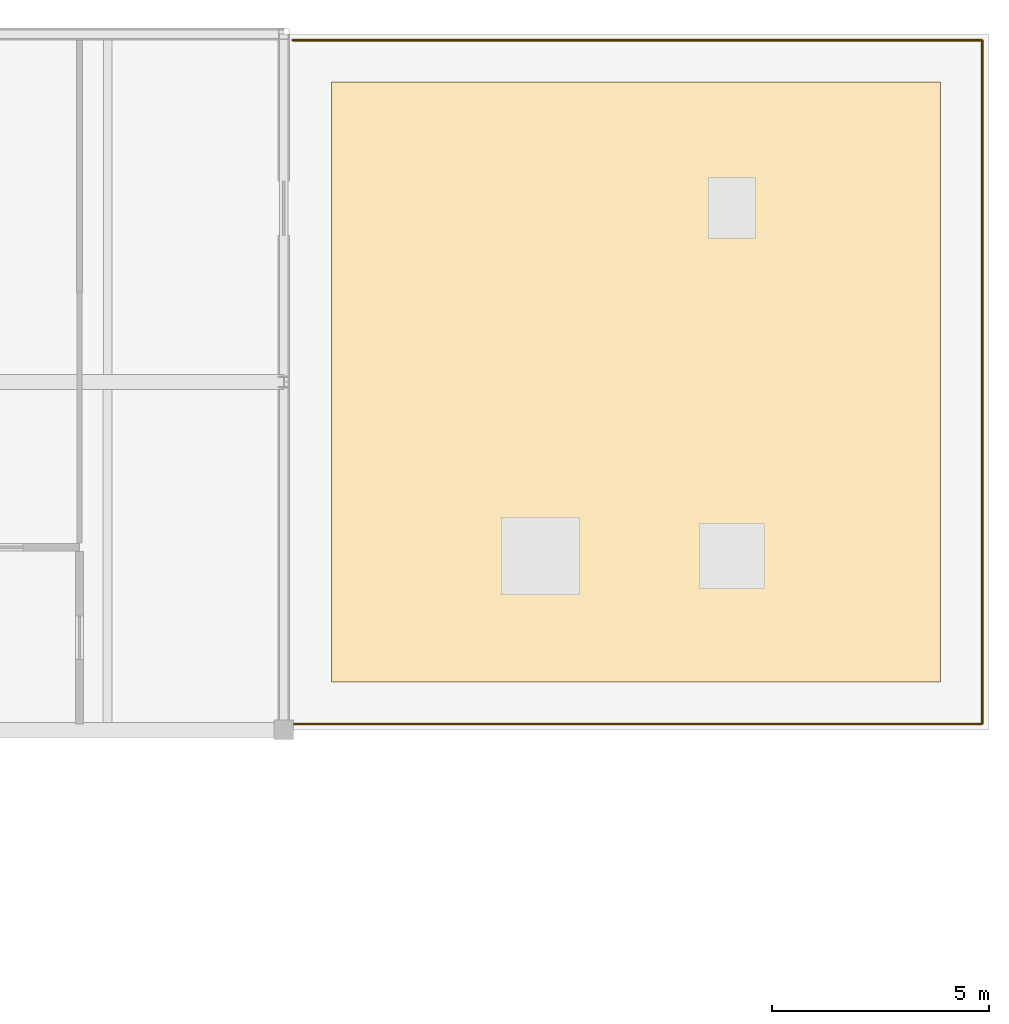
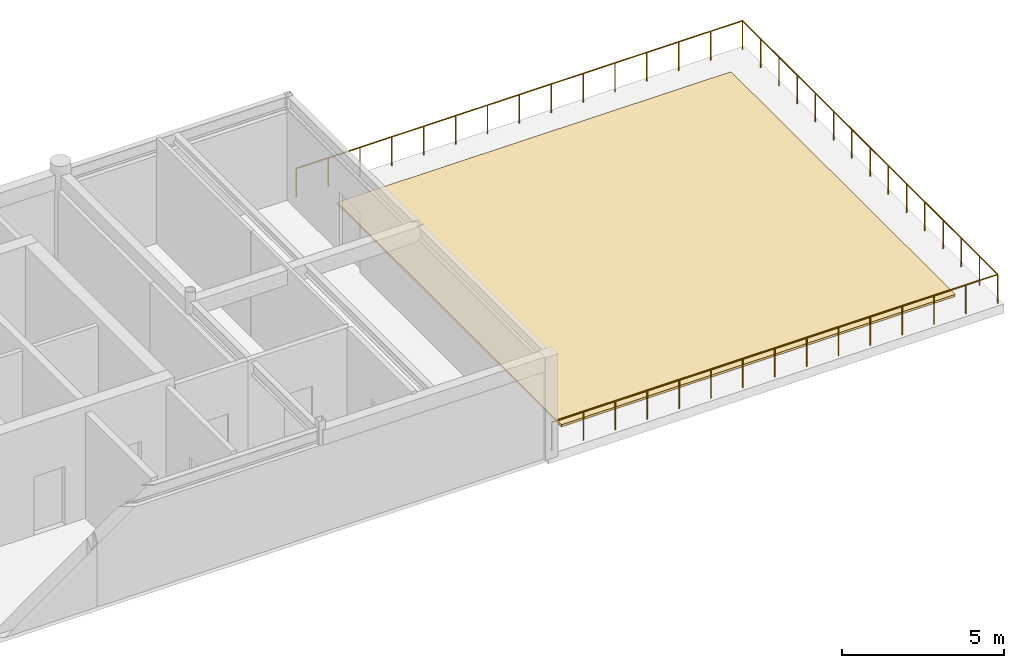
# One storey, part 18 of 18: 3 railings, 1 covering.
"""IFC4 building model written with IfcOpenShell, lengths in metres."""

import ifcopenshell
import ifcopenshell.guid

model = None  # the IFC model being written
_history = None  # IfcOwnerHistory: only IFC2X3 demands one
_inside = {}  # id of a spatial element -> (the spatial element, [elements in it])
_under = {}  # id of a project, library or spatial element -> (it, [spatial elements below it])
_declared = {}  # id of a project -> (the project, [libraries it declares])
_typed = {}  # id of a type object -> (the type object, [elements of that type])
_made_of = {}  # id of a material, layer set ... -> (it, [elements and type objects made of it])


def new_model(schema):
    """Start an empty IFC model of exactly this schema.

    Asked for "IFC4X3", IfcOpenShell would pick the latest addendum, in which some entities
    have other attributes; the version numbers below select the first issue.
    IFC2X3 requires an IfcOwnerHistory on every rooted entity: one is made here for all.
    """
    global model, _history
    if schema == "IFC4X3":
        model = ifcopenshell.file(schema_version=(4, 3, 0, 0))
    else:
        model = ifcopenshell.file(schema=schema)
    _inside.clear()
    _under.clear()
    _declared.clear()
    _typed.clear()
    _made_of.clear()
    _history = None
    if model.schema == "IFC2X3":
        org = make("IfcOrganization", Name="unknown")
        user = make(
            "IfcPersonAndOrganization",
            ThePerson=make("IfcPerson", FamilyName="unknown"),
            TheOrganization=org,
        )
        app = make(
            "IfcApplication",
            ApplicationDeveloper=org,
            Version="unknown",
            ApplicationFullName="unknown",
            ApplicationIdentifier="unknown",
        )
        _history = make(
            "IfcOwnerHistory",
            OwningUser=user,
            OwningApplication=app,
            ChangeAction="ADDED",
            CreationDate=0,
        )
    return model


def make(cls, **values):
    """One entity of the class cls with the attributes given. An attribute that is None is left unset."""
    return model.create_entity(
        cls, **{name: value for name, value in values.items() if value is not None}
    )


def rooted(cls, **values):
    """An entity with a GlobalId (a new one), such as an element, a storey or a relation."""
    return make(cls, GlobalId=ifcopenshell.guid.new(), OwnerHistory=_history, **values)


def si_unit(unit_type, name, prefix=None):
    """IfcSIUnit, for example si_unit("LENGTHUNIT", "METRE", prefix="MILLI")."""
    return make("IfcSIUnit", UnitType=unit_type, Prefix=prefix, Name=name)


def assignment(units):
    """IfcUnitAssignment: the units of a project."""
    return None if units is None else make("IfcUnitAssignment", Units=units)


def point(xyz):
    """IfcCartesianPoint."""
    return None if xyz is None else make("IfcCartesianPoint", Coordinates=xyz)


def direction(xyz):
    """IfcDirection."""
    return None if xyz is None else make("IfcDirection", DirectionRatios=xyz)


def frame(location, z_axis=None, x_axis=None):
    """IfcAxis2Placement3D, a coordinate frame: its origin and axes. An axis left out is left unset."""
    return make(
        "IfcAxis2Placement3D",
        Location=point(location),
        Axis=direction(z_axis),
        RefDirection=direction(x_axis),
    )


def frame_2d(location, x_axis=None):
    """IfcAxis2Placement2D, a coordinate frame in the plane: its origin and x axis."""
    return make(
        "IfcAxis2Placement2D", Location=point(location), RefDirection=direction(x_axis)
    )


def origin():
    """The frame at (0, 0, 0) with its axes left unset."""
    return frame((0.0, 0.0, 0.0))


def origin_2d():
    """The frame at (0, 0) in the plane with its x axis left unset."""
    return frame_2d((0.0, 0.0))


def place(relative_to, where):
    """IfcLocalPlacement: puts the frame where relative to a parent placement (None: the world)."""
    return make(
        "IfcLocalPlacement", PlacementRelTo=relative_to, RelativePlacement=where
    )


def context(
    kind, dimensions, precision=None, world=None, true_north=None, identifier=None
):
    """IfcGeometricRepresentationContext, for example the 3D "Model" context."""
    return make(
        "IfcGeometricRepresentationContext",
        ContextIdentifier=identifier,
        ContextType=kind,
        CoordinateSpaceDimension=dimensions,
        Precision=precision,
        WorldCoordinateSystem=world,
        TrueNorth=true_north,
    )


def subcontext(parent, identifier, kind, view, scale=None):
    """IfcGeometricRepresentationSubContext, for example "Body" below "Model"."""
    return make(
        "IfcGeometricRepresentationSubContext",
        ContextIdentifier=identifier,
        ContextType=kind,
        ParentContext=parent,
        TargetScale=scale,
        TargetView=view,
    )


def project(units=None, contexts=None):
    """IfcProject with its units and contexts."""
    return rooted(
        "IfcProject",
        Name="project",
        RepresentationContexts=contexts,
        UnitsInContext=assignment(units),
    )


def spatial(cls, under=None, at=None, **own):
    """A site, building, storey or space (cls), placed at a placement, below another one or the project."""
    s = rooted(cls, ObjectPlacement=at, **own)
    if under is not None:
        _under.setdefault(under.id(), (under, []))[1].append(s)
    return s


def polyline(points):
    """IfcPolyline through the points."""
    return make("IfcPolyline", Points=[point(p) for p in points])


def profile(cls, at=None, kind="AREA", **sizes):
    """A parametric profile (cls). Its sizes go by their IFC names, for example OverallWidth=200.0."""
    return make(cls, ProfileType=kind, Position=at, **sizes)


def circle(**sizes):
    """IfcCircleProfileDef."""
    return profile("IfcCircleProfileDef", **sizes)


def outline(outer, holes=None, kind="AREA"):
    """IfcArbitraryClosedProfileDef: a profile drawn as a closed curve; with holes, ...WithVoids."""
    if holes is None:
        return make("IfcArbitraryClosedProfileDef", ProfileType=kind, OuterCurve=outer)
    return make(
        "IfcArbitraryProfileDefWithVoids",
        ProfileType=kind,
        OuterCurve=outer,
        InnerCurves=holes,
    )


def extrude(swept, where, along, depth):
    """IfcExtrudedAreaSolid: the profile swept, set in the frame where, extruded along a direction by depth."""
    return make(
        "IfcExtrudedAreaSolid",
        SweptArea=swept,
        Position=where,
        ExtrudedDirection=direction(along),
        Depth=depth,
    )


def shape(context_of_items, identifier, shape_type, items):
    """IfcShapeRepresentation: the items that make up one representation, for example the "Body"."""
    return make(
        "IfcShapeRepresentation",
        ContextOfItems=context_of_items,
        RepresentationIdentifier=identifier,
        RepresentationType=shape_type,
        Items=items,
    )


def material(Name=None, Category=None):
    """IfcMaterial."""
    return make("IfcMaterial", Name=Name, Category=Category)


def layer(
    of_material, thickness, ventilated=None, Name=None, Category=None, Priority=None
):
    """IfcMaterialLayer: one layer of a wall or slab, of a material (None: an air gap)."""
    return make(
        "IfcMaterialLayer",
        Material=of_material,
        LayerThickness=thickness,
        IsVentilated=ventilated,
        Name=Name,
        Category=Category,
        Priority=Priority,
    )


def layer_set(layers, Name=None):
    """IfcMaterialLayerSet."""
    return make("IfcMaterialLayerSet", MaterialLayers=layers, LayerSetName=Name)


def made_of(thing, what):
    """Note that an element or type object is made of a material, layer set ...; save() writes the relation."""
    if what is not None:
        _made_of.setdefault(what.id(), (what, []))[1].append(thing)
    return thing


def type_object(cls, material=None, **own):
    """A type object (cls), such as IfcWallType, which elements share."""
    return made_of(rooted(cls, **own), material)


def element(
    cls,
    number,
    at=None,
    inside=None,
    cuts=None,
    type_object=None,
    material=None,
    context=None,
    identifier="Body",
    shape_type=None,
    held_by="IfcProductDefinitionShape",
    body=None,
    shapes=None,
    **own,
):
    """One element of the class cls, such as IfcWall. Its Tag is "e" and its number.

    at: its placement. inside: the storey or other place that contains it. cuts: it is an
    opening in that element (IfcRelVoidsElement). A single representation is given by context,
    identifier, shape_type and body (its items); several are given by shapes. held_by: the class
    of the entity that holds the representations. save() writes the other relations.
    """
    e = rooted(cls, Tag="e%d" % number, ObjectPlacement=at, **own)
    if body is not None:
        shapes = [shape(context, identifier, shape_type, body)]
    if shapes is not None:
        e.Representation = make(held_by, Representations=shapes)
    if inside is not None:
        _inside.setdefault(inside.id(), (inside, []))[1].append(e)
    if cuts is not None:
        rooted(
            "IfcRelVoidsElement", RelatingBuildingElement=cuts, RelatedOpeningElement=e
        )
    if type_object is not None:
        _typed.setdefault(type_object.id(), (type_object, []))[1].append(e)
    return made_of(e, material)


def aggregate(whole, parts):
    """IfcRelAggregates: a whole, such as a stair, and the parts it consists of."""
    return rooted("IfcRelAggregates", RelatingObject=whole, RelatedObjects=parts)


def save(model, path):
    """Write the relations noted so far, then the file.

    IfcRelAggregates (storeys below a building ...), IfcRelContainedInSpatialStructure (elements
    in a storey), IfcRelDefinesByType, IfcRelAssociatesMaterial and IfcRelDeclares: one each for
    every whole, place, type object, material and project.
    """
    for whole, parts in _under.values():
        aggregate(whole, parts)
    for where, things in _inside.values():
        rooted(
            "IfcRelContainedInSpatialStructure",
            RelatedElements=things,
            RelatingStructure=where,
        )
    for kind, things in _typed.values():
        rooted("IfcRelDefinesByType", RelatedObjects=things, RelatingType=kind)
    for what, things in _made_of.values():
        rooted("IfcRelAssociatesMaterial", RelatedObjects=things, RelatingMaterial=what)
    for by, libraries in _declared.values():
        rooted("IfcRelDeclares", RelatingContext=by, RelatedDefinitions=libraries)
    model.write(path)


model = new_model("IFC4")

# Units and contexts
model_context = context("Model", 3, precision=1e-05, world=origin(), true_north=direction((0.0, 1.0)))
body_context = subcontext(model_context, "Body", "Model", "MODEL_VIEW")
ifc_project = project(units=[si_unit("LENGTHUNIT", "METRE"), si_unit("AREAUNIT", "SQUARE_METRE"), si_unit("VOLUMEUNIT", "CUBIC_METRE"), si_unit("PLANEANGLEUNIT", "RADIAN"), si_unit("MASSUNIT", "GRAM", prefix="KILO")], contexts=[model_context])

# Site, building, storey
site_placement = place(None, origin())
site = spatial("IfcSite", under=ifc_project, at=site_placement, CompositionType="ELEMENT")
building_placement = place(site_placement, origin())
building = spatial("IfcBuilding", under=site, at=building_placement, Name="Tarnveldt Square Police Headquarters", CompositionType="ELEMENT")
storey_placement = place(building_placement, frame((0.0, 0.0, 29.10009765625)))
storey = spatial("IfcBuildingStorey", under=building, at=storey_placement, Name="L06", CompositionType="ELEMENT", Elevation=29.10009765625)

# Covering
ifc_material_1 = material(Name="Vegetated sedum and EPDM waterproofing roofing assembly", Category="concrete")
ifc_layer = layer(ifc_material_1, 0.080078125)
ifc_layer_set = layer_set([ifc_layer], Name="Vegetated sedum and EPDM waterproofing roofing assembly")
covering_type = type_object("IfcCoveringType", Name="COV-RFG-80", PredefinedType="ROOFING", material=ifc_layer_set)
covering_placement = place(storey_placement, origin())
element("IfcCovering", 1, at=covering_placement, inside=storey, type_object=covering_type, Name="Forensic Wing Planted Roof Terrace Planted Roofing Assembly 5", PredefinedType="ROOFING", context=body_context, shape_type="SweptSolid", body=[
    extrude(outline(polyline([(88.0, 97.10009765625), (88.0, 110.89990234375), (74.0, 110.89990234375), (74.0, 97.10009765625), (88.0, 97.10009765625)])), origin(), (0.0, 0.0, 1.0), 0.079833984375),
])

# Railings
ifc_material_2 = material(Name="Steel 350W", Category="steel")
railing_type = type_object("IfcRailingType", Name="RL-TER-1100", PredefinedType="GUARDRAIL", material=ifc_material_2)
railing_1_placement = place(storey_placement, frame((73.10009765625, 96.139892578125, 0.0)))
element("IfcRailing", 2, at=railing_1_placement, inside=storey, type_object=railing_type, Name="Forensic Wing Planted Roof Terrace Perimeter Guardrail S1", PredefinedType="GUARDRAIL", context=body_context, shape_type="SweptSolid", body=[
    extrude(circle(Radius=0.02392578125, at=origin_2d()), frame((0.0, 0.0, 1.076171875), z_axis=(1.0, 0.0, 0.0), x_axis=(0.0, 1.0, 0.0)), (0.0, 0.0, 1.0), 15.85986328125),
    extrude(circle(Radius=0.02099609375, at=origin_2d()), origin(), (0.0, 0.0, 1.0), 1.052001953125),
    extrude(circle(Radius=0.02099609375, at=origin_2d()), frame((1.1328125, 0.0, 0.0)), (0.0, 0.0, 1.0), 1.052001953125),
    extrude(circle(Radius=0.02099609375, at=origin_2d()), frame((2.265625, 0.0, 0.0)), (0.0, 0.0, 1.0), 1.052001953125),
    extrude(circle(Radius=0.02099609375, at=origin_2d()), frame((3.3984375, 0.0, 0.0)), (0.0, 0.0, 1.0), 1.052001953125),
    extrude(circle(Radius=0.02099609375, at=origin_2d()), frame((4.531494140625, 0.0, 0.0)), (0.0, 0.0, 1.0), 1.052001953125),
    extrude(circle(Radius=0.02099609375, at=origin_2d()), frame((5.664306640625, 0.0, 0.0)), (0.0, 0.0, 1.0), 1.052001953125),
    extrude(circle(Radius=0.02099609375, at=origin_2d()), frame((6.797119140625, 0.0, 0.0)), (0.0, 0.0, 1.0), 1.052001953125),
    extrude(circle(Radius=0.02099609375, at=origin_2d()), frame((7.929931640625, 0.0, 0.0)), (0.0, 0.0, 1.0), 1.052001953125),
    extrude(circle(Radius=0.02099609375, at=origin_2d()), frame((9.062744140625, 0.0, 0.0)), (0.0, 0.0, 1.0), 1.052001953125),
    extrude(circle(Radius=0.02099609375, at=origin_2d()), frame((10.195556640625, 0.0, 0.0)), (0.0, 0.0, 1.0), 1.052001953125),
    extrude(circle(Radius=0.02099609375, at=origin_2d()), frame((11.328369140625, 0.0, 0.0)), (0.0, 0.0, 1.0), 1.052001953125),
    extrude(circle(Radius=0.02099609375, at=origin_2d()), frame((12.46142578125, 0.0, 0.0)), (0.0, 0.0, 1.0), 1.052001953125),
    extrude(circle(Radius=0.02099609375, at=origin_2d()), frame((13.59423828125, 0.0, 0.0)), (0.0, 0.0, 1.0), 1.052001953125),
    extrude(circle(Radius=0.02099609375, at=origin_2d()), frame((14.72705078125, 0.0, 0.0)), (0.0, 0.0, 1.0), 1.052001953125),
    extrude(circle(Radius=0.02099609375, at=origin_2d()), frame((15.85986328125, 0.0, 0.0)), (0.0, 0.0, 1.0), 1.052001953125),
])
railing_2_placement = place(storey_placement, frame((88.9599609375, 96.139892578125, 0.0)))
element("IfcRailing", 3, at=railing_2_placement, inside=storey, type_object=railing_type, Name="Forensic Wing Planted Roof Terrace Perimeter Guardrail E1", PredefinedType="GUARDRAIL", context=body_context, shape_type="SweptSolid", body=[
    extrude(circle(Radius=0.02392578125, at=origin_2d()), frame((0.0, 0.0, 1.076171875), z_axis=(0.0, 1.0, 0.0), x_axis=(-1.0, 0.0, 0.0)), (0.0, 0.0, 1.0), 15.72021484375),
    extrude(circle(Radius=0.02099609375, at=origin_2d()), origin(), (0.0, 0.0, 1.0), 1.052001953125),
    extrude(circle(Radius=0.02099609375, at=origin_2d()), frame((0.0, 1.122802734375, 0.0)), (0.0, 0.0, 1.0), 1.052001953125),
    extrude(circle(Radius=0.02099609375, at=origin_2d()), frame((0.0, 2.245849609375, 0.0)), (0.0, 0.0, 1.0), 1.052001953125),
    extrude(circle(Radius=0.02099609375, at=origin_2d()), frame((0.0, 3.36865234375, 0.0)), (0.0, 0.0, 1.0), 1.052001953125),
    extrude(circle(Radius=0.02099609375, at=origin_2d()), frame((0.0, 4.491455078125, 0.0)), (0.0, 0.0, 1.0), 1.052001953125),
    extrude(circle(Radius=0.02099609375, at=origin_2d()), frame((0.0, 5.6142578125, 0.0)), (0.0, 0.0, 1.0), 1.052001953125),
    extrude(circle(Radius=0.02099609375, at=origin_2d()), frame((0.0, 6.7373046875, 0.0)), (0.0, 0.0, 1.0), 1.052001953125),
    extrude(circle(Radius=0.02099609375, at=origin_2d()), frame((0.0, 7.860107421875, 0.0)), (0.0, 0.0, 1.0), 1.052001953125),
    extrude(circle(Radius=0.02099609375, at=origin_2d()), frame((0.0, 8.98291015625, 0.0)), (0.0, 0.0, 1.0), 1.052001953125),
    extrude(circle(Radius=0.02099609375, at=origin_2d()), frame((0.0, 10.10595703125, 0.0)), (0.0, 0.0, 1.0), 1.052001953125),
    extrude(circle(Radius=0.02099609375, at=origin_2d()), frame((0.0, 11.228759765625, 0.0)), (0.0, 0.0, 1.0), 1.052001953125),
    extrude(circle(Radius=0.02099609375, at=origin_2d()), frame((0.0, 12.3515625, 0.0)), (0.0, 0.0, 1.0), 1.052001953125),
    extrude(circle(Radius=0.02099609375, at=origin_2d()), frame((0.0, 13.474365234375, 0.0)), (0.0, 0.0, 1.0), 1.052001953125),
    extrude(circle(Radius=0.02099609375, at=origin_2d()), frame((0.0, 14.597412109375, 0.0)), (0.0, 0.0, 1.0), 1.052001953125),
    extrude(circle(Radius=0.02099609375, at=origin_2d()), frame((0.0, 15.72021484375, 0.0)), (0.0, 0.0, 1.0), 1.052001953125),
])
railing_3_placement = place(storey_placement, frame((88.9599609375, 111.860107421875, 0.0)))
element("IfcRailing", 4, at=railing_3_placement, inside=storey, type_object=railing_type, Name="Forensic Wing Planted Roof Terrace Perimeter Guardrail N1", PredefinedType="GUARDRAIL", context=body_context, shape_type="SweptSolid", body=[
    extrude(circle(Radius=0.02392578125, at=origin_2d()), frame((0.0, 0.0, 1.076171875), z_axis=(-1.0, 0.0, 0.0), x_axis=(0.0, -1.0, 0.0)), (0.0, 0.0, 1.0), 15.85986328125),
    extrude(circle(Radius=0.02099609375, at=origin_2d()), origin(), (0.0, 0.0, 1.0), 1.052001953125),
    extrude(circle(Radius=0.02099609375, at=origin_2d()), frame((-1.1328125, 0.0, 0.0)), (0.0, 0.0, 1.0), 1.052001953125),
    extrude(circle(Radius=0.02099609375, at=origin_2d()), frame((-2.265625, 0.0, 0.0)), (0.0, 0.0, 1.0), 1.052001953125),
    extrude(circle(Radius=0.02099609375, at=origin_2d()), frame((-3.3984375, 0.0, 0.0)), (0.0, 0.0, 1.0), 1.052001953125),
    extrude(circle(Radius=0.02099609375, at=origin_2d()), frame((-4.531494140625, 0.0, 0.0)), (0.0, 0.0, 1.0), 1.052001953125),
    extrude(circle(Radius=0.02099609375, at=origin_2d()), frame((-5.664306640625, 0.0, 0.0)), (0.0, 0.0, 1.0), 1.052001953125),
    extrude(circle(Radius=0.02099609375, at=origin_2d()), frame((-6.797119140625, 0.0, 0.0)), (0.0, 0.0, 1.0), 1.052001953125),
    extrude(circle(Radius=0.02099609375, at=origin_2d()), frame((-7.929931640625, 0.0, 0.0)), (0.0, 0.0, 1.0), 1.052001953125),
    extrude(circle(Radius=0.02099609375, at=origin_2d()), frame((-9.062744140625, 0.0, 0.0)), (0.0, 0.0, 1.0), 1.052001953125),
    extrude(circle(Radius=0.02099609375, at=origin_2d()), frame((-10.195556640625, 0.0, 0.0)), (0.0, 0.0, 1.0), 1.052001953125),
    extrude(circle(Radius=0.02099609375, at=origin_2d()), frame((-11.328369140625, 0.0, 0.0)), (0.0, 0.0, 1.0), 1.052001953125),
    extrude(circle(Radius=0.02099609375, at=origin_2d()), frame((-12.46142578125, 0.0, 0.0)), (0.0, 0.0, 1.0), 1.052001953125),
    extrude(circle(Radius=0.02099609375, at=origin_2d()), frame((-13.59423828125, 0.0, 0.0)), (0.0, 0.0, 1.0), 1.052001953125),
    extrude(circle(Radius=0.02099609375, at=origin_2d()), frame((-14.72705078125, 0.0, 0.0)), (0.0, 0.0, 1.0), 1.052001953125),
    extrude(circle(Radius=0.02099609375, at=origin_2d()), frame((-15.85986328125, 0.0, 0.0)), (0.0, 0.0, 1.0), 1.052001953125),
])

save(model, "model.ifc")
